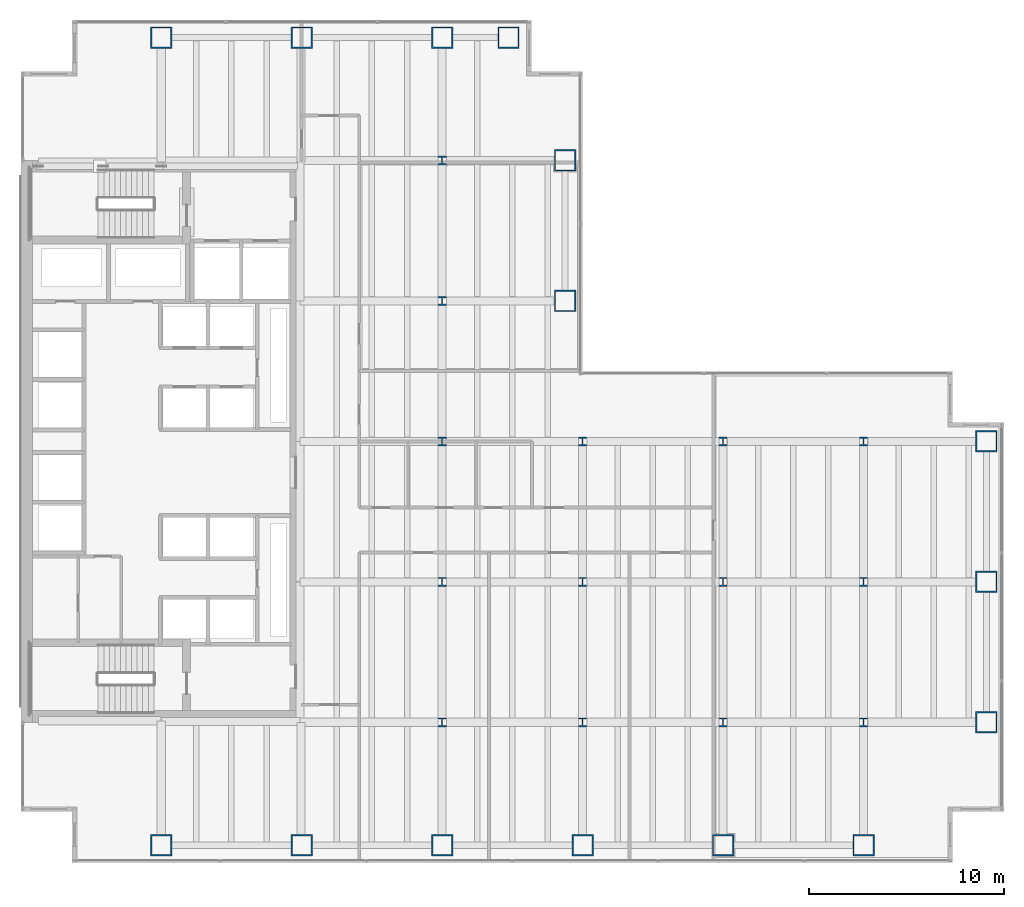
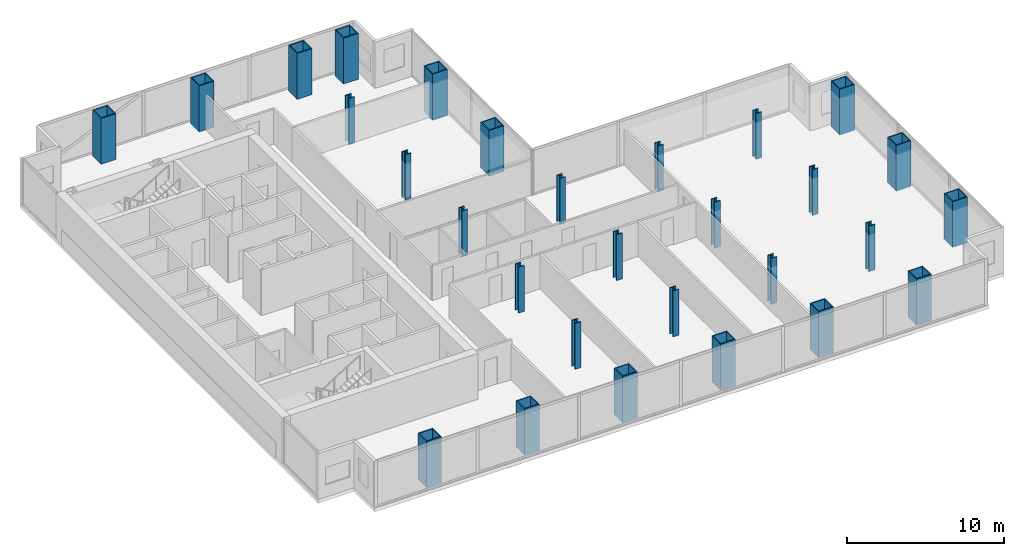
# One storey, part 1 of 25: 29 columns.
"""IFC4 building model written with IfcOpenShell, lengths in metres."""

import ifcopenshell
import ifcopenshell.guid

model = None  # the IFC model being written
_history = None  # IfcOwnerHistory: only IFC2X3 demands one
_inside = {}  # id of a spatial element -> (the spatial element, [elements in it])
_under = {}  # id of a project, library or spatial element -> (it, [spatial elements below it])
_declared = {}  # id of a project -> (the project, [libraries it declares])
_typed = {}  # id of a type object -> (the type object, [elements of that type])
_made_of = {}  # id of a material, layer set ... -> (it, [elements and type objects made of it])


def new_model(schema):
    """Start an empty IFC model of exactly this schema.

    Asked for "IFC4X3", IfcOpenShell would pick the latest addendum, in which some entities
    have other attributes; the version numbers below select the first issue.
    IFC2X3 requires an IfcOwnerHistory on every rooted entity: one is made here for all.
    """
    global model, _history
    if schema == "IFC4X3":
        model = ifcopenshell.file(schema_version=(4, 3, 0, 0))
    else:
        model = ifcopenshell.file(schema=schema)
    _inside.clear()
    _under.clear()
    _declared.clear()
    _typed.clear()
    _made_of.clear()
    _history = None
    if model.schema == "IFC2X3":
        org = make("IfcOrganization", Name="unknown")
        user = make(
            "IfcPersonAndOrganization",
            ThePerson=make("IfcPerson", FamilyName="unknown"),
            TheOrganization=org,
        )
        app = make(
            "IfcApplication",
            ApplicationDeveloper=org,
            Version="unknown",
            ApplicationFullName="unknown",
            ApplicationIdentifier="unknown",
        )
        _history = make(
            "IfcOwnerHistory",
            OwningUser=user,
            OwningApplication=app,
            ChangeAction="ADDED",
            CreationDate=0,
        )
    return model


def make(cls, **values):
    """One entity of the class cls with the attributes given. An attribute that is None is left unset."""
    return model.create_entity(
        cls, **{name: value for name, value in values.items() if value is not None}
    )


def rooted(cls, **values):
    """An entity with a GlobalId (a new one), such as an element, a storey or a relation."""
    return make(cls, GlobalId=ifcopenshell.guid.new(), OwnerHistory=_history, **values)


def si_unit(unit_type, name, prefix=None):
    """IfcSIUnit, for example si_unit("LENGTHUNIT", "METRE", prefix="MILLI")."""
    return make("IfcSIUnit", UnitType=unit_type, Prefix=prefix, Name=name)


def assignment(units):
    """IfcUnitAssignment: the units of a project."""
    return None if units is None else make("IfcUnitAssignment", Units=units)


def point(xyz):
    """IfcCartesianPoint."""
    return None if xyz is None else make("IfcCartesianPoint", Coordinates=xyz)


def direction(xyz):
    """IfcDirection."""
    return None if xyz is None else make("IfcDirection", DirectionRatios=xyz)


def frame(location, z_axis=None, x_axis=None):
    """IfcAxis2Placement3D, a coordinate frame: its origin and axes. An axis left out is left unset."""
    return make(
        "IfcAxis2Placement3D",
        Location=point(location),
        Axis=direction(z_axis),
        RefDirection=direction(x_axis),
    )


def frame_2d(location, x_axis=None):
    """IfcAxis2Placement2D, a coordinate frame in the plane: its origin and x axis."""
    return make(
        "IfcAxis2Placement2D", Location=point(location), RefDirection=direction(x_axis)
    )


def origin():
    """The frame at (0, 0, 0) with its axes left unset."""
    return frame((0.0, 0.0, 0.0))


def origin_2d():
    """The frame at (0, 0) in the plane with its x axis left unset."""
    return frame_2d((0.0, 0.0))


def place(relative_to, where):
    """IfcLocalPlacement: puts the frame where relative to a parent placement (None: the world)."""
    return make(
        "IfcLocalPlacement", PlacementRelTo=relative_to, RelativePlacement=where
    )


def context(
    kind, dimensions, precision=None, world=None, true_north=None, identifier=None
):
    """IfcGeometricRepresentationContext, for example the 3D "Model" context."""
    return make(
        "IfcGeometricRepresentationContext",
        ContextIdentifier=identifier,
        ContextType=kind,
        CoordinateSpaceDimension=dimensions,
        Precision=precision,
        WorldCoordinateSystem=world,
        TrueNorth=true_north,
    )


def subcontext(parent, identifier, kind, view, scale=None):
    """IfcGeometricRepresentationSubContext, for example "Body" below "Model"."""
    return make(
        "IfcGeometricRepresentationSubContext",
        ContextIdentifier=identifier,
        ContextType=kind,
        ParentContext=parent,
        TargetScale=scale,
        TargetView=view,
    )


def project(units=None, contexts=None):
    """IfcProject with its units and contexts."""
    return rooted(
        "IfcProject",
        Name="project",
        RepresentationContexts=contexts,
        UnitsInContext=assignment(units),
    )


def spatial(cls, under=None, at=None, **own):
    """A site, building, storey or space (cls), placed at a placement, below another one or the project."""
    s = rooted(cls, ObjectPlacement=at, **own)
    if under is not None:
        _under.setdefault(under.id(), (under, []))[1].append(s)
    return s


def profile(cls, at=None, kind="AREA", **sizes):
    """A parametric profile (cls). Its sizes go by their IFC names, for example OverallWidth=200.0."""
    return make(cls, ProfileType=kind, Position=at, **sizes)


def hollow_rectangle(**sizes):
    """IfcRectangleHollowProfileDef."""
    return profile("IfcRectangleHollowProfileDef", **sizes)


def i_section(**sizes):
    """IfcIShapeProfileDef."""
    return profile("IfcIShapeProfileDef", **sizes)


def extrude(swept, where, along, depth):
    """IfcExtrudedAreaSolid: the profile swept, set in the frame where, extruded along a direction by depth."""
    return make(
        "IfcExtrudedAreaSolid",
        SweptArea=swept,
        Position=where,
        ExtrudedDirection=direction(along),
        Depth=depth,
    )


def shape(context_of_items, identifier, shape_type, items):
    """IfcShapeRepresentation: the items that make up one representation, for example the "Body"."""
    return make(
        "IfcShapeRepresentation",
        ContextOfItems=context_of_items,
        RepresentationIdentifier=identifier,
        RepresentationType=shape_type,
        Items=items,
    )


def material(Name=None, Category=None):
    """IfcMaterial."""
    return make("IfcMaterial", Name=Name, Category=Category)


def material_profile(
    of_material, cross_section, Name=None, Category=None, Priority=None
):
    """IfcMaterialProfile: a cross section and its material."""
    return make(
        "IfcMaterialProfile",
        Name=Name,
        Material=of_material,
        Profile=cross_section,
        Priority=Priority,
        Category=Category,
    )


def profile_set(profiles, Name=None, composite=None):
    """IfcMaterialProfileSet."""
    return make(
        "IfcMaterialProfileSet",
        Name=Name,
        MaterialProfiles=profiles,
        CompositeProfile=composite,
    )


def made_of(thing, what):
    """Note that an element or type object is made of a material, layer set ...; save() writes the relation."""
    if what is not None:
        _made_of.setdefault(what.id(), (what, []))[1].append(thing)
    return thing


def type_object(cls, material=None, **own):
    """A type object (cls), such as IfcWallType, which elements share."""
    return made_of(rooted(cls, **own), material)


def element(
    cls,
    number,
    at=None,
    inside=None,
    cuts=None,
    type_object=None,
    material=None,
    context=None,
    identifier="Body",
    shape_type=None,
    held_by="IfcProductDefinitionShape",
    body=None,
    shapes=None,
    **own,
):
    """One element of the class cls, such as IfcWall. Its Tag is "e" and its number.

    at: its placement. inside: the storey or other place that contains it. cuts: it is an
    opening in that element (IfcRelVoidsElement). A single representation is given by context,
    identifier, shape_type and body (its items); several are given by shapes. held_by: the class
    of the entity that holds the representations. save() writes the other relations.
    """
    e = rooted(cls, Tag="e%d" % number, ObjectPlacement=at, **own)
    if body is not None:
        shapes = [shape(context, identifier, shape_type, body)]
    if shapes is not None:
        e.Representation = make(held_by, Representations=shapes)
    if inside is not None:
        _inside.setdefault(inside.id(), (inside, []))[1].append(e)
    if cuts is not None:
        rooted(
            "IfcRelVoidsElement", RelatingBuildingElement=cuts, RelatedOpeningElement=e
        )
    if type_object is not None:
        _typed.setdefault(type_object.id(), (type_object, []))[1].append(e)
    return made_of(e, material)


def aggregate(whole, parts):
    """IfcRelAggregates: a whole, such as a stair, and the parts it consists of."""
    return rooted("IfcRelAggregates", RelatingObject=whole, RelatedObjects=parts)


def save(model, path):
    """Write the relations noted so far, then the file.

    IfcRelAggregates (storeys below a building ...), IfcRelContainedInSpatialStructure (elements
    in a storey), IfcRelDefinesByType, IfcRelAssociatesMaterial and IfcRelDeclares: one each for
    every whole, place, type object, material and project.
    """
    for whole, parts in _under.values():
        aggregate(whole, parts)
    for where, things in _inside.values():
        rooted(
            "IfcRelContainedInSpatialStructure",
            RelatedElements=things,
            RelatingStructure=where,
        )
    for kind, things in _typed.values():
        rooted("IfcRelDefinesByType", RelatedObjects=things, RelatingType=kind)
    for what, things in _made_of.values():
        rooted("IfcRelAssociatesMaterial", RelatedObjects=things, RelatingMaterial=what)
    for by, libraries in _declared.values():
        rooted("IfcRelDeclares", RelatingContext=by, RelatedDefinitions=libraries)
    model.write(path)


model = new_model("IFC4")

# Units and contexts
model_context = context("Model", 3, precision=1e-05, world=origin(), true_north=direction((0.0, 1.0)))
body_context = subcontext(model_context, "Body", "Model", "MODEL_VIEW")
ifc_project = project(units=[si_unit("LENGTHUNIT", "METRE"), si_unit("AREAUNIT", "SQUARE_METRE"), si_unit("VOLUMEUNIT", "CUBIC_METRE"), si_unit("PLANEANGLEUNIT", "RADIAN"), si_unit("MASSUNIT", "GRAM", prefix="KILO")], contexts=[model_context])

# Site, building, storey
site_placement = place(None, origin())
site = spatial("IfcSite", under=ifc_project, at=site_placement, CompositionType="ELEMENT")
building_placement = place(site_placement, origin())
building = spatial("IfcBuilding", under=site, at=building_placement, Name="Cobrela Telecom Tower", CompositionType="ELEMENT")
storey_placement = place(building_placement, frame((0.0, 0.0, 42.699951171875)))
storey = spatial("IfcBuildingStorey", under=building, at=storey_placement, Name="L10", CompositionType="ELEMENT", Elevation=42.699951171875)

# Columns
ifc_material_1 = material(Name="Steel ASTM A992 Grade 50", Category="steel")
ifc_material_profile_1 = material_profile(ifc_material_1, i_section(OverallWidth=0.422119140625, OverallDepth=0.465087890625, WebThickness=0.044921875, FlangeThickness=0.072509765625, FilletRadius=0.01806640625, at=origin_2d()), Name="W14X398")
ifc_profile_set_1 = profile_set([ifc_material_profile_1], Name="Steel ASTM A992 Grade 50")
column_type_1 = type_object("IfcColumnType", Name="COL-INT-04", PredefinedType="COLUMN", material=ifc_profile_set_1)
for number, where, z_axis, x_axis, name in (
    (1, (21.60009765625, 7.199951171875, 0.0), (0.0, 0.0, 1.0), (1.0, 0.0, 0.0), "L10 Interior Column 06"),
    (2, (21.60009765625, 14.39990234375, 0.0), (0.0, 0.0, 1.0), (1.0, 0.0, 0.0), "L10 Interior Column 07"),
    (3, (21.60009765625, 21.60009765625, 0.0), (0.0, 0.0, 1.0), (1.0, 0.0, 0.0), "L10 Interior Column 08"),
    (4, (21.60009765625, 28.800048828125, 0.0), (0.0, 0.0, 1.0), (1.0, 0.0, 0.0), "L10 Interior Column 09"),
    (5, (21.60009765625, 36.0, 0.0), (0.0, 0.0, 1.0), (1.0, 0.0, 0.0), "L10 Interior Column 10"),
    (6, (28.800048828125, 7.199951171875, 0.0), (0.0, 0.0, 1.0), (1.0, 0.0, 0.0), "L10 Interior Column 16"),
    (7, (28.800048828125, 14.39990234375, 0.0), (0.0, 0.0, 1.0), (1.0, 0.0, 0.0), "L10 Interior Column 17"),
    (8, (28.800048828125, 21.60009765625, 0.0), (0.0, 0.0, 1.0), (1.0, 0.0, 0.0), "L10 Interior Column 18"),
    (9, (36.0, 7.199951171875, 0.0), (0.0, 0.0, 1.0), (1.0, 0.0, 0.0), "L10 Interior Column 20"),
    (10, (36.0, 14.39990234375, 0.0), (0.0, 0.0, 1.0), (1.0, 0.0, 0.0), "L10 Interior Column 21"),
    (11, (36.0, 21.60009765625, 0.0), (0.0, 0.0, 1.0), (1.0, 0.0, 0.0), "L10 Interior Column 22"),
    (12, (43.199951171875, 7.199951171875, 0.0), (0.0, 0.0, 1.0), (1.0, 0.0, 0.0), "L10 Interior Column 24"),
    (13, (43.199951171875, 14.39990234375, 0.0), (0.0, 0.0, 1.0), (1.0, 0.0, 0.0), "L10 Interior Column 25"),
    (14, (43.199951171875, 21.60009765625, 0.0), (0.0, 0.0, 1.0), (1.0, 0.0, 0.0), "L10 Interior Column 26"),
):
    element("IfcColumn", number, at=place(storey_placement, frame(where, z_axis=z_axis, x_axis=x_axis)), inside=storey, type_object=column_type_1, Name=name, PredefinedType="COLUMN", context=body_context, shape_type="SweptSolid", body=[
        extrude(i_section(OverallWidth=0.422119140625, OverallDepth=0.465087890625, WebThickness=0.044921875, FlangeThickness=0.072509765625, FilletRadius=0.01806640625, at=origin_2d()), origin(), (0.0, 0.0, 1.0), 3.570068359375),
    ])
ifc_material_2 = material(Name="Steel ASTM A572 Grade 50", Category="steel")
ifc_material_profile_2 = material_profile(ifc_material_2, hollow_rectangle(XDim=1.10009765625, YDim=1.10009765625, WallThickness=0.070068359375, at=origin_2d()), Name="BOX 1100x1100x70")
ifc_profile_set_2 = profile_set([ifc_material_profile_2], Name="Steel ASTM A572 Grade 50")
column_type_2 = type_object("IfcColumnType", Name="COL-MEGA-02", PredefinedType="COLUMN", material=ifc_profile_set_2)
for number, where, z_axis, x_axis, name in (
    (15, (7.199951171875, 0.89990234375, 0.0), (0.0, 0.0, 1.0), (1.0, 0.0, 0.0), "L10 Perimeter Mega-Column 01"),
    (16, (7.199951171875, 42.300048828125, 0.0), (0.0, 0.0, 1.0), (1.0, 0.0, 0.0), "L10 Perimeter Mega-Column 02"),
    (17, (14.39990234375, 0.89990234375, 0.0), (0.0, 0.0, 1.0), (1.0, 0.0, 0.0), "L10 Perimeter Mega-Column 03"),
    (18, (14.39990234375, 42.300048828125, 0.0), (0.0, 0.0, 1.0), (1.0, 0.0, 0.0), "L10 Perimeter Mega-Column 04"),
    (19, (21.60009765625, 0.89990234375, 0.0), (0.0, 0.0, 1.0), (1.0, 0.0, 0.0), "L10 Perimeter Mega-Column 05"),
    (20, (21.60009765625, 42.300048828125, 0.0), (0.0, 0.0, 1.0), (1.0, 0.0, 0.0), "L10 Perimeter Mega-Column 11"),
    (21, (25.0, 42.300048828125, 0.0), (0.0, 0.0, 1.0), (1.0, 0.0, 0.0), "L10 Perimeter Mega-Column 12"),
    (22, (27.89990234375, 28.800048828125, 0.0), (0.0, 0.0, 1.0), (1.0, 0.0, 0.0), "L10 Perimeter Mega-Column 13"),
    (23, (27.89990234375, 36.0, 0.0), (0.0, 0.0, 1.0), (1.0, 0.0, 0.0), "L10 Perimeter Mega-Column 14"),
    (24, (28.800048828125, 0.89990234375, 0.0), (0.0, 0.0, 1.0), (1.0, 0.0, 0.0), "L10 Perimeter Mega-Column 15"),
    (25, (36.0, 0.89990234375, 0.0), (0.0, 0.0, 1.0), (1.0, 0.0, 0.0), "L10 Perimeter Mega-Column 19"),
    (26, (43.199951171875, 0.89990234375, 0.0), (0.0, 0.0, 1.0), (1.0, 0.0, 0.0), "L10 Perimeter Mega-Column 23"),
    (27, (49.5, 7.199951171875, 0.0), (0.0, 0.0, 1.0), (1.0, 0.0, 0.0), "L10 Perimeter Mega-Column 27"),
    (28, (49.5, 14.39990234375, 0.0), (0.0, 0.0, 1.0), (1.0, 0.0, 0.0), "L10 Perimeter Mega-Column 28"),
    (29, (49.5, 21.60009765625, 0.0), (0.0, 0.0, 1.0), (1.0, 0.0, 0.0), "L10 Perimeter Mega-Column 29"),
):
    element("IfcColumn", number, at=place(storey_placement, frame(where, z_axis=z_axis, x_axis=x_axis)), inside=storey, type_object=column_type_2, Name=name, PredefinedType="COLUMN", context=body_context, shape_type="SweptSolid", body=[
        extrude(hollow_rectangle(XDim=1.10009765625, YDim=1.10009765625, WallThickness=0.070068359375, at=origin_2d()), origin(), (0.0, 0.0, 1.0), 3.570068359375),
    ])

save(model, "model.ifc")
